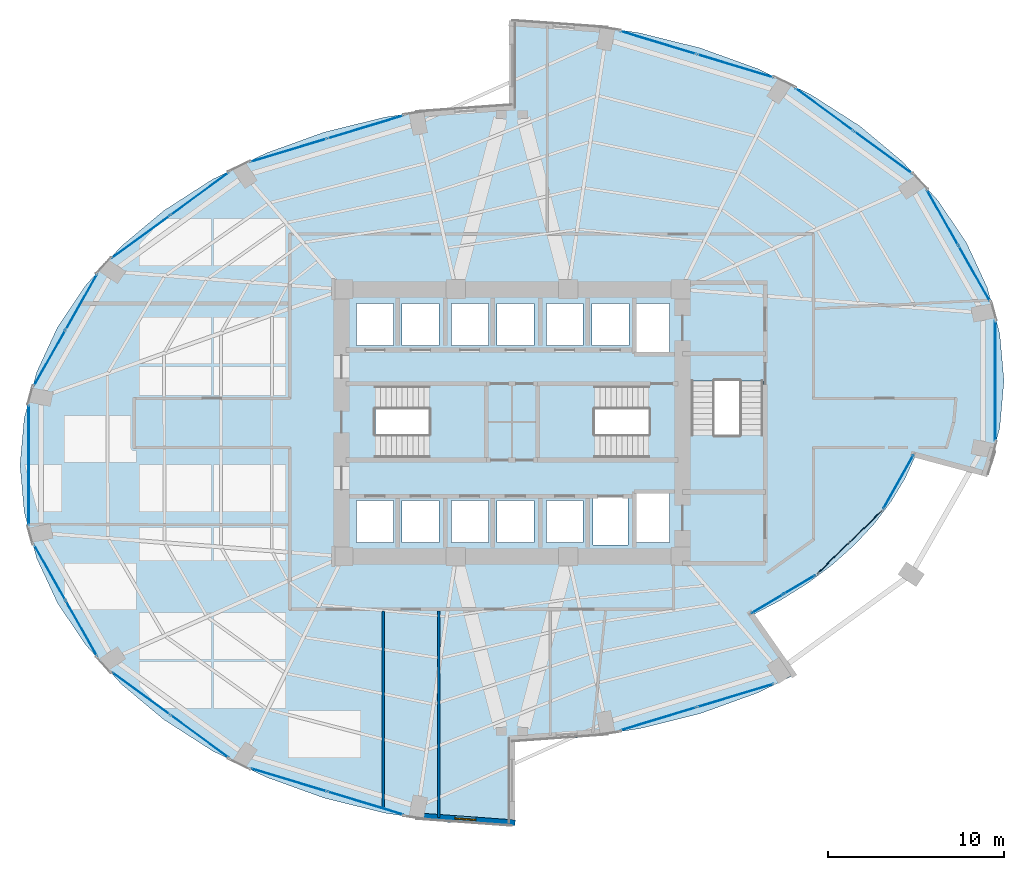
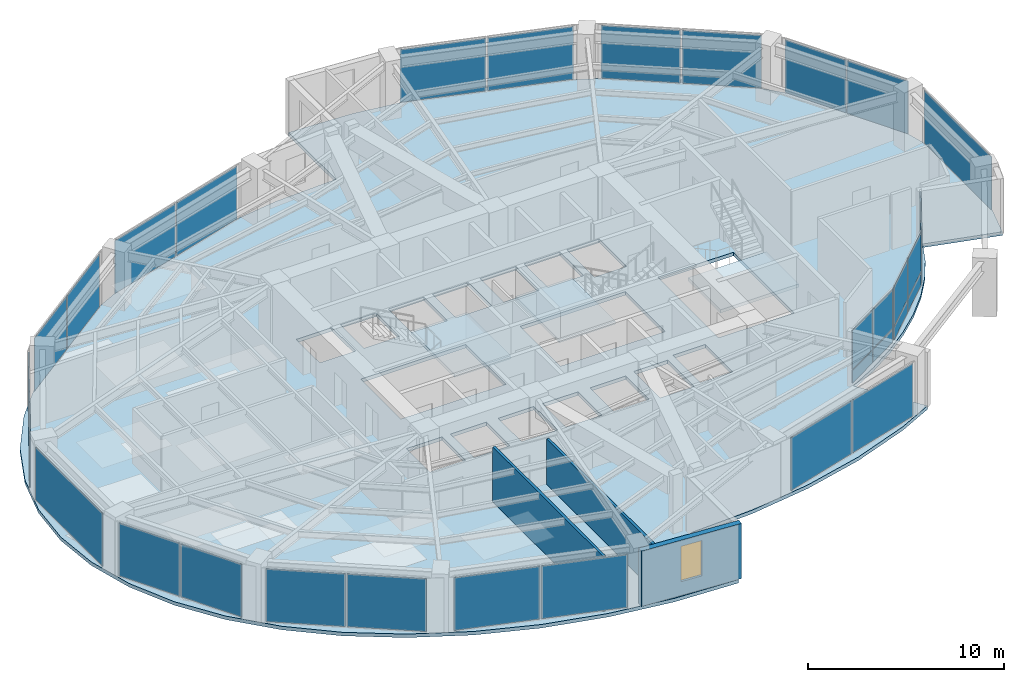
# One storey, part 19 of 24: 32 plates, 4 slabs, 3 walls, 1 window, 1 opening, 18 elements without a shape of their own.
"""IFC4 building model written with IfcOpenShell, lengths in metres."""

from ifc_helpers import new_model, si_unit, direction, frame, frame_2d, origin, origin_2d, place, context, subcontext, project, spatial, polyline, rectangle, outline, extrude, material, layer, layer_set, type_object, element, fill, aggregate, save


model = new_model("IFC4")

# Units and contexts
model_context = context("Model", 3, precision=1e-05, world=origin(), true_north=direction((0.0, 1.0)))
body_context = subcontext(model_context, "Body", "Model", "MODEL_VIEW")
ifc_project = project(units=[si_unit("LENGTHUNIT", "METRE"), si_unit("AREAUNIT", "SQUARE_METRE"), si_unit("VOLUMEUNIT", "CUBIC_METRE"), si_unit("PLANEANGLEUNIT", "RADIAN"), si_unit("MASSUNIT", "GRAM", prefix="KILO")], contexts=[model_context])

# Site, building, storey
site_placement = place(None, origin())
site = spatial("IfcSite", under=ifc_project, at=site_placement, CompositionType="ELEMENT")
building_placement = place(site_placement, origin())
building = spatial("IfcBuilding", under=site, at=building_placement, Name="Lazwardi Medical Tower", CompositionType="ELEMENT")
storey_placement = place(building_placement, frame((0.0, 0.0, 61.679931640625)))
storey = spatial("IfcBuildingStorey", under=building, at=storey_placement, Name="L15", CompositionType="ELEMENT", Elevation=61.679931640625)

# Curtain wall, plates
ifc_material_1 = material(Name="Anodised bronze aluminium and solar control glazing", Category="aluminium")
ifc_layer_1 = layer(ifc_material_1, 0.199951171875)
ifc_layer_set_1 = layer_set([ifc_layer_1], Name="Anodised bronze aluminium and solar control glazing")
curtain_wall_type_1 = type_object("IfcCurtainWallType", Name="CW-SYS-02", PredefinedType="NOTDEFINED", material=ifc_layer_set_1)
curtain_wall_1_placement = place(storey_placement, origin())
curtain_wall_1 = element("IfcCurtainWall", 1, at=curtain_wall_1_placement, inside=storey, type_object=curtain_wall_type_1, Name="L15 Unitised bronze curtain wall CW-02", PredefinedType="NOTDEFINED")
ifc_material_2 = material(Name="Low-e bronze solar control double glazing", Category="glass")
ifc_layer_2 = layer(ifc_material_2, 0.035888671875)
ifc_layer_set_2 = layer_set([ifc_layer_2], Name="Low-e bronze solar control double glazing")
plate_type_1 = type_object("IfcPlateType", Name="PLT-GLZ-01", PredefinedType="CURTAIN_PANEL", material=ifc_layer_set_2)
plate_1_placement = place(storey_placement, frame((44.335693359375, 11.158935546875, 0.0751953125), z_axis=(0.0, 0.0, 1.0), x_axis=(0.957058247129, 0.2898956909, 0.0)))
plate_1 = element("IfcPlate", 2, at=plate_1_placement, type_object=plate_type_1, Name="CW-02 panel 1.1", PredefinedType="CURTAIN_PANEL", context=body_context, shape_type="SweptSolid", body=[
    extrude(rectangle(XDim=4.49658203125, YDim=0.035888671875, at=origin_2d()), origin(), (0.0, 0.0, 1.0), 3.278076171875),
])
plate_2_placement = place(storey_placement, frame((48.7109375, 12.484130859375, 0.0751953125), z_axis=(0.0, 0.0, 1.0), x_axis=(0.957058247129, 0.2898956909, 0.0)))
plate_2 = element("IfcPlate", 3, at=plate_2_placement, type_object=plate_type_1, Name="CW-02 panel 2.1", PredefinedType="CURTAIN_PANEL", context=body_context, shape_type="SweptSolid", body=[
    extrude(rectangle(XDim=4.49658203125, YDim=0.035888671875, at=origin_2d()), origin(), (0.0, 0.0, 1.0), 3.278076171875),
])
aggregate(curtain_wall_1, [plate_1, plate_2])

# Curtain wall, plate
curtain_wall_2_placement = place(storey_placement, origin())
curtain_wall_2 = element("IfcCurtainWall", 4, at=curtain_wall_2_placement, inside=storey, type_object=curtain_wall_type_1, Name="L15 Unitised bronze curtain wall CW-02", PredefinedType="NOTDEFINED")
plate_3_placement = place(storey_placement, frame((63.49853515625, 30.39990234375, 0.0751953125), z_axis=(0.0, 0.0, 1.0), x_axis=(0.0, 1.0, 0.0)))
plate_3 = element("IfcPlate", 5, at=plate_3_placement, type_object=plate_type_1, Name="CW-02 panel 1.1", PredefinedType="CURTAIN_PANEL", context=body_context, shape_type="SweptSolid", body=[
    extrude(rectangle(XDim=6.8330078125, YDim=0.035888671875, at=origin_2d()), origin(), (0.0, 0.0, 1.0), 3.278076171875),
])
aggregate(curtain_wall_2, [plate_3])

# Curtain wall, plates
curtain_wall_3_placement = place(storey_placement, origin())
curtain_wall_3 = element("IfcCurtainWall", 6, at=curtain_wall_3_placement, inside=storey, type_object=curtain_wall_type_1, Name="L15 Unitised bronze curtain wall CW-02", PredefinedType="NOTDEFINED")
plate_4_placement = place(storey_placement, frame((62.3095703125, 36.498779296875, 0.0751953125), z_axis=(0.0, 0.0, 1.0), x_axis=(-0.492854327303, 0.870111838823, 0.0)))
plate_4 = element("IfcPlate", 7, at=plate_4_placement, type_object=plate_type_1, Name="CW-02 panel 1.1", PredefinedType="CURTAIN_PANEL", context=body_context, shape_type="SweptSolid", body=[
    extrude(rectangle(XDim=3.5947265625, YDim=0.035888671875, at=origin_2d()), origin(), (0.0, 0.0, 1.0), 3.278076171875),
])
plate_5_placement = place(storey_placement, frame((60.5009765625, 39.69189453125, 0.0751953125), z_axis=(0.0, 0.0, 1.0), x_axis=(-0.492854327303, 0.870111838823, 0.0)))
plate_5 = element("IfcPlate", 8, at=plate_5_placement, type_object=plate_type_1, Name="CW-02 panel 2.1", PredefinedType="CURTAIN_PANEL", context=body_context, shape_type="SweptSolid", body=[
    extrude(rectangle(XDim=3.5947265625, YDim=0.035888671875, at=origin_2d()), origin(), (0.0, 0.0, 1.0), 3.278076171875),
])
aggregate(curtain_wall_3, [plate_4, plate_5])

curtain_wall_4_placement = place(storey_placement, origin())
curtain_wall_4 = element("IfcCurtainWall", 9, at=curtain_wall_4_placement, inside=storey, type_object=curtain_wall_type_1, Name="L15 Unitised bronze curtain wall CW-02", PredefinedType="NOTDEFINED")
plate_6_placement = place(storey_placement, frame((57.117431640625, 43.39599609375, 0.0751953125), z_axis=(0.0, 0.0, 1.0), x_axis=(-0.807191757663, 0.590289307341, 0.0)))
plate_6 = element("IfcPlate", 10, at=plate_6_placement, type_object=plate_type_1, Name="CW-02 panel 1.1", PredefinedType="CURTAIN_PANEL", context=body_context, shape_type="SweptSolid", body=[
    extrude(rectangle(XDim=4.070068359375, YDim=0.035888671875, at=origin_2d()), origin(), (0.0, 0.0, 1.0), 3.278076171875),
])
plate_7_placement = place(storey_placement, frame((53.771484375, 45.8427734375, 0.0751953125), z_axis=(0.0, 0.0, 1.0), x_axis=(-0.807191757663, 0.590289307341, 0.0)))
plate_7 = element("IfcPlate", 11, at=plate_7_placement, type_object=plate_type_1, Name="CW-02 panel 2.1", PredefinedType="CURTAIN_PANEL", context=body_context, shape_type="SweptSolid", body=[
    extrude(rectangle(XDim=4.070068359375, YDim=0.035888671875, at=origin_2d()), origin(), (0.0, 0.0, 1.0), 3.278076171875),
])
aggregate(curtain_wall_4, [plate_6, plate_7])

curtain_wall_5_placement = place(storey_placement, origin())
curtain_wall_5 = element("IfcCurtainWall", 12, at=curtain_wall_5_placement, inside=storey, type_object=curtain_wall_type_1, Name="L15 Unitised bronze curtain wall CW-02", PredefinedType="NOTDEFINED")
plate_8_placement = place(storey_placement, frame((48.7109375, 48.31591796875, 0.0751953125), z_axis=(0.0, 0.0, 1.0), x_axis=(-0.957058247129, 0.2898956909, 0.0)))
plate_8 = element("IfcPlate", 13, at=plate_8_placement, type_object=plate_type_1, Name="CW-02 panel 1.1", PredefinedType="CURTAIN_PANEL", context=body_context, shape_type="SweptSolid", body=[
    extrude(rectangle(XDim=4.49658203125, YDim=0.035888671875, at=origin_2d()), origin(), (0.0, 0.0, 1.0), 3.278076171875),
])
plate_9_placement = place(storey_placement, frame((44.335693359375, 49.64111328125, 0.0751953125), z_axis=(0.0, 0.0, 1.0), x_axis=(-0.957058247129, 0.2898956909, 0.0)))
plate_9 = element("IfcPlate", 14, at=plate_9_placement, type_object=plate_type_1, Name="CW-02 panel 2.1", PredefinedType="CURTAIN_PANEL", context=body_context, shape_type="SweptSolid", body=[
    extrude(rectangle(XDim=4.49658203125, YDim=0.035888671875, at=origin_2d()), origin(), (0.0, 0.0, 1.0), 3.278076171875),
])
aggregate(curtain_wall_5, [plate_8, plate_9])

curtain_wall_6_placement = place(storey_placement, origin())
curtain_wall_6 = element("IfcCurtainWall", 15, at=curtain_wall_6_placement, inside=storey, type_object=curtain_wall_type_1, Name="L15 Unitised bronze curtain wall CW-02", PredefinedType="NOTDEFINED")
plate_10_placement = place(storey_placement, frame((27.664306640625, 44.841064453125, 0.0751953125), z_axis=(0.0, 0.0, 1.0), x_axis=(-0.957058247129, -0.2898956909, 0.0)))
plate_10 = element("IfcPlate", 16, at=plate_10_placement, type_object=plate_type_1, Name="CW-02 panel 1.1", PredefinedType="CURTAIN_PANEL", context=body_context, shape_type="SweptSolid", body=[
    extrude(rectangle(XDim=4.49658203125, YDim=0.035888671875, at=origin_2d()), origin(), (0.0, 0.0, 1.0), 3.278076171875),
])
plate_11_placement = place(storey_placement, frame((23.2890625, 43.515869140625, 0.0751953125), z_axis=(0.0, 0.0, 1.0), x_axis=(-0.957058247129, -0.2898956909, 0.0)))
plate_11 = element("IfcPlate", 17, at=plate_11_placement, type_object=plate_type_1, Name="CW-02 panel 2.1", PredefinedType="CURTAIN_PANEL", context=body_context, shape_type="SweptSolid", body=[
    extrude(rectangle(XDim=4.49658203125, YDim=0.035888671875, at=origin_2d()), origin(), (0.0, 0.0, 1.0), 3.278076171875),
])
aggregate(curtain_wall_6, [plate_10, plate_11])

curtain_wall_7_placement = place(storey_placement, origin())
curtain_wall_7 = element("IfcCurtainWall", 18, at=curtain_wall_7_placement, inside=storey, type_object=curtain_wall_type_1, Name="L15 Unitised bronze curtain wall CW-02", PredefinedType="NOTDEFINED")
plate_12_placement = place(storey_placement, frame((18.228515625, 41.042724609375, 0.0751953125), z_axis=(0.0, 0.0, 1.0), x_axis=(-0.807191757663, -0.590289307341, 0.0)))
plate_12 = element("IfcPlate", 19, at=plate_12_placement, type_object=plate_type_1, Name="CW-02 panel 1.1", PredefinedType="CURTAIN_PANEL", context=body_context, shape_type="SweptSolid", body=[
    extrude(rectangle(XDim=4.070068359375, YDim=0.035888671875, at=origin_2d()), origin(), (0.0, 0.0, 1.0), 3.278076171875),
])
plate_13_placement = place(storey_placement, frame((14.882568359375, 38.595947265625, 0.0751953125), z_axis=(0.0, 0.0, 1.0), x_axis=(-0.807191757663, -0.590289307341, 0.0)))
plate_13 = element("IfcPlate", 20, at=plate_13_placement, type_object=plate_type_1, Name="CW-02 panel 2.1", PredefinedType="CURTAIN_PANEL", context=body_context, shape_type="SweptSolid", body=[
    extrude(rectangle(XDim=4.070068359375, YDim=0.035888671875, at=origin_2d()), origin(), (0.0, 0.0, 1.0), 3.278076171875),
])
aggregate(curtain_wall_7, [plate_12, plate_13])

curtain_wall_8_placement = place(storey_placement, origin())
curtain_wall_8 = element("IfcCurtainWall", 21, at=curtain_wall_8_placement, inside=storey, type_object=curtain_wall_type_1, Name="L15 Unitised bronze curtain wall CW-02", PredefinedType="NOTDEFINED")
plate_14_placement = place(storey_placement, frame((11.4990234375, 34.89208984375, 0.0751953125), z_axis=(0.0, 0.0, 1.0), x_axis=(-0.492854327303, -0.870111838823, 0.0)))
plate_14 = element("IfcPlate", 22, at=plate_14_placement, type_object=plate_type_1, Name="CW-02 panel 1.1", PredefinedType="CURTAIN_PANEL", context=body_context, shape_type="SweptSolid", body=[
    extrude(rectangle(XDim=3.5947265625, YDim=0.035888671875, at=origin_2d()), origin(), (0.0, 0.0, 1.0), 3.278076171875),
])
plate_15_placement = place(storey_placement, frame((9.6904296875, 31.698974609375, 0.0751953125), z_axis=(0.0, 0.0, 1.0), x_axis=(-0.492854327303, -0.870111838823, 0.0)))
plate_15 = element("IfcPlate", 23, at=plate_15_placement, type_object=plate_type_1, Name="CW-02 panel 2.1", PredefinedType="CURTAIN_PANEL", context=body_context, shape_type="SweptSolid", body=[
    extrude(rectangle(XDim=3.5947265625, YDim=0.035888671875, at=origin_2d()), origin(), (0.0, 0.0, 1.0), 3.278076171875),
])
aggregate(curtain_wall_8, [plate_14, plate_15])

# Curtain wall, plate
curtain_wall_9_placement = place(storey_placement, origin())
curtain_wall_9 = element("IfcCurtainWall", 24, at=curtain_wall_9_placement, inside=storey, type_object=curtain_wall_type_1, Name="L15 Unitised bronze curtain wall CW-02", PredefinedType="NOTDEFINED")
plate_16_placement = place(storey_placement, frame((8.50146484375, 25.60009765625, 0.0751953125), z_axis=(0.0, 0.0, 1.0), x_axis=(0.0, -1.0, 0.0)))
plate_16 = element("IfcPlate", 25, at=plate_16_placement, type_object=plate_type_1, Name="CW-02 panel 1.1", PredefinedType="CURTAIN_PANEL", context=body_context, shape_type="SweptSolid", body=[
    extrude(rectangle(XDim=6.8330078125, YDim=0.035888671875, at=origin_2d()), origin(), (0.0, 0.0, 1.0), 3.278076171875),
])
aggregate(curtain_wall_9, [plate_16])

# Curtain wall, plates
curtain_wall_10_placement = place(storey_placement, origin())
curtain_wall_10 = element("IfcCurtainWall", 26, at=curtain_wall_10_placement, inside=storey, type_object=curtain_wall_type_1, Name="L15 Unitised bronze curtain wall CW-02", PredefinedType="NOTDEFINED")
plate_17_placement = place(storey_placement, frame((9.6904296875, 19.501220703125, 0.0751953125), z_axis=(0.0, 0.0, 1.0), x_axis=(0.492854327303, -0.870111838823, 0.0)))
plate_17 = element("IfcPlate", 27, at=plate_17_placement, type_object=plate_type_1, Name="CW-02 panel 1.1", PredefinedType="CURTAIN_PANEL", context=body_context, shape_type="SweptSolid", body=[
    extrude(rectangle(XDim=3.5947265625, YDim=0.035888671875, at=origin_2d()), origin(), (0.0, 0.0, 1.0), 3.278076171875),
])
plate_18_placement = place(storey_placement, frame((11.4990234375, 16.30810546875, 0.0751953125), z_axis=(0.0, 0.0, 1.0), x_axis=(0.492854327303, -0.870111838823, 0.0)))
plate_18 = element("IfcPlate", 28, at=plate_18_placement, type_object=plate_type_1, Name="CW-02 panel 2.1", PredefinedType="CURTAIN_PANEL", context=body_context, shape_type="SweptSolid", body=[
    extrude(rectangle(XDim=3.5947265625, YDim=0.035888671875, at=origin_2d()), origin(), (0.0, 0.0, 1.0), 3.278076171875),
])
aggregate(curtain_wall_10, [plate_17, plate_18])

curtain_wall_11_placement = place(storey_placement, origin())
curtain_wall_11 = element("IfcCurtainWall", 29, at=curtain_wall_11_placement, inside=storey, type_object=curtain_wall_type_1, Name="L15 Unitised bronze curtain wall CW-02", PredefinedType="NOTDEFINED")
plate_19_placement = place(storey_placement, frame((14.882568359375, 12.60400390625, 0.0751953125), z_axis=(0.0, 0.0, 1.0), x_axis=(0.807191757663, -0.590289307341, 0.0)))
plate_19 = element("IfcPlate", 30, at=plate_19_placement, type_object=plate_type_1, Name="CW-02 panel 1.1", PredefinedType="CURTAIN_PANEL", context=body_context, shape_type="SweptSolid", body=[
    extrude(rectangle(XDim=4.070068359375, YDim=0.035888671875, at=origin_2d()), origin(), (0.0, 0.0, 1.0), 3.278076171875),
])
plate_20_placement = place(storey_placement, frame((18.228515625, 10.1572265625, 0.0751953125), z_axis=(0.0, 0.0, 1.0), x_axis=(0.807191757663, -0.590289307341, 0.0)))
plate_20 = element("IfcPlate", 31, at=plate_20_placement, type_object=plate_type_1, Name="CW-02 panel 2.1", PredefinedType="CURTAIN_PANEL", context=body_context, shape_type="SweptSolid", body=[
    extrude(rectangle(XDim=4.070068359375, YDim=0.035888671875, at=origin_2d()), origin(), (0.0, 0.0, 1.0), 3.278076171875),
])
aggregate(curtain_wall_11, [plate_19, plate_20])

curtain_wall_12_placement = place(storey_placement, origin())
curtain_wall_12 = element("IfcCurtainWall", 32, at=curtain_wall_12_placement, inside=storey, type_object=curtain_wall_type_1, Name="L15 Unitised bronze curtain wall CW-02", PredefinedType="NOTDEFINED")
plate_21_placement = place(storey_placement, frame((23.2890625, 7.68408203125, 0.0751953125), z_axis=(0.0, 0.0, 1.0), x_axis=(0.957058247129, -0.2898956909, 0.0)))
plate_21 = element("IfcPlate", 33, at=plate_21_placement, type_object=plate_type_1, Name="CW-02 panel 1.1", PredefinedType="CURTAIN_PANEL", context=body_context, shape_type="SweptSolid", body=[
    extrude(rectangle(XDim=4.49658203125, YDim=0.035888671875, at=origin_2d()), origin(), (0.0, 0.0, 1.0), 3.278076171875),
])
plate_22_placement = place(storey_placement, frame((27.664306640625, 6.35888671875, 0.0751953125), z_axis=(0.0, 0.0, 1.0), x_axis=(0.957058247129, -0.2898956909, 0.0)))
plate_22 = element("IfcPlate", 34, at=plate_22_placement, type_object=plate_type_1, Name="CW-02 panel 2.1", PredefinedType="CURTAIN_PANEL", context=body_context, shape_type="SweptSolid", body=[
    extrude(rectangle(XDim=4.49658203125, YDim=0.035888671875, at=origin_2d()), origin(), (0.0, 0.0, 1.0), 3.278076171875),
])
aggregate(curtain_wall_12, [plate_21, plate_22])

ifc_layer_3 = layer(ifc_material_1, 0.239990234375)
ifc_layer_set_3 = layer_set([ifc_layer_3], Name="Anodised bronze aluminium and solar control glazing")
curtain_wall_type_2 = type_object("IfcCurtainWallType", Name="CW-SYS-05", PredefinedType="NOTDEFINED", material=ifc_layer_set_3)
curtain_wall_13_placement = place(storey_placement, origin())
curtain_wall_13 = element("IfcCurtainWall", 35, at=curtain_wall_13_placement, inside=storey, type_object=curtain_wall_type_2, Name="L15 Unitised bronze curtain wall CW-05", PredefinedType="NOTDEFINED")
ifc_material_3 = material(Name="Laminated acoustic bronze double glazing", Category="glass")
ifc_layer_4 = layer(ifc_material_3, 0.0419921875)
ifc_layer_set_4 = layer_set([ifc_layer_4], Name="Laminated acoustic bronze double glazing")
plate_type_2 = type_object("IfcPlateType", Name="PLT-GLZ-02", PredefinedType="CURTAIN_PANEL", material=ifc_layer_set_4)
plate_23_placement = place(storey_placement, frame((50.53466796875, 17.711669921875, 0.085205078125), z_axis=(0.0, 0.0, 1.0), x_axis=(0.859770759532, 0.510680174917, 0.0)))
plate_23 = element("IfcPlate", 36, at=plate_23_placement, type_object=plate_type_2, Name="CW-05 panel 1.1", PredefinedType="CURTAIN_PANEL", context=body_context, shape_type="SweptSolid", body=[
    extrude(rectangle(XDim=2.04541015625, YDim=0.0419921875, at=origin_2d()), origin(), (0.0, 0.0, 1.0), 0.7724609375),
])
plate_24_placement = place(storey_placement, frame((50.53466796875, 17.711669921875, 0.942626953125), z_axis=(0.0, 0.0, 1.0), x_axis=(0.859770759532, 0.510680174917, 0.0)))
plate_24 = element("IfcPlate", 37, at=plate_24_placement, type_object=plate_type_2, Name="CW-05 panel 1.2", PredefinedType="CURTAIN_PANEL", context=body_context, shape_type="SweptSolid", body=[
    extrude(rectangle(XDim=2.04541015625, YDim=0.0419921875, at=origin_2d()), origin(), (0.0, 0.0, 1.0), 2.400390625),
])
plate_25_placement = place(storey_placement, frame((52.3662109375, 18.799560546875, 0.085205078125), z_axis=(0.0, 0.0, 1.0), x_axis=(0.859770759532, 0.510680174917, 0.0)))
plate_25 = element("IfcPlate", 38, at=plate_25_placement, type_object=plate_type_2, Name="CW-05 panel 2.1", PredefinedType="CURTAIN_PANEL", context=body_context, shape_type="SweptSolid", body=[
    extrude(rectangle(XDim=2.04541015625, YDim=0.0419921875, at=origin_2d()), origin(), (0.0, 0.0, 1.0), 0.7724609375),
])
plate_26_placement = place(storey_placement, frame((52.3662109375, 18.799560546875, 0.942626953125), z_axis=(0.0, 0.0, 1.0), x_axis=(0.859770759532, 0.510680174917, 0.0)))
plate_26 = element("IfcPlate", 39, at=plate_26_placement, type_object=plate_type_2, Name="CW-05 panel 2.2", PredefinedType="CURTAIN_PANEL", context=body_context, shape_type="SweptSolid", body=[
    extrude(rectangle(XDim=2.04541015625, YDim=0.0419921875, at=origin_2d()), origin(), (0.0, 0.0, 1.0), 2.400390625),
])
aggregate(curtain_wall_13, [plate_23, plate_24, plate_25, plate_26])

curtain_wall_14_placement = place(storey_placement, origin())
curtain_wall_14 = element("IfcCurtainWall", 40, at=curtain_wall_14_placement, inside=storey, type_object=curtain_wall_type_2, Name="L15 Unitised bronze curtain wall CW-05", PredefinedType="NOTDEFINED")
plate_27_placement = place(storey_placement, frame((57.986083984375, 24.63330078125, 0.085205078125), z_axis=(0.0, 0.0, 1.0), x_axis=(0.489795845779, 0.871837157649, 0.0)))
plate_27 = element("IfcPlate", 41, at=plate_27_placement, type_object=plate_type_2, Name="CW-05 panel 1.1", PredefinedType="CURTAIN_PANEL", context=body_context, shape_type="SweptSolid", body=[
    extrude(rectangle(XDim=3.4521484375, YDim=0.0419921875, at=origin_2d()), origin(), (0.0, 0.0, 1.0), 0.7724609375),
])
plate_28_placement = place(storey_placement, frame((57.986083984375, 24.63330078125, 0.942626953125), z_axis=(0.0, 0.0, 1.0), x_axis=(0.489795845779, 0.871837157649, 0.0)))
plate_28 = element("IfcPlate", 42, at=plate_28_placement, type_object=plate_type_2, Name="CW-05 panel 1.2", PredefinedType="CURTAIN_PANEL", context=body_context, shape_type="SweptSolid", body=[
    extrude(rectangle(XDim=3.4521484375, YDim=0.0419921875, at=origin_2d()), origin(), (0.0, 0.0, 1.0), 2.400390625),
])
aggregate(curtain_wall_14, [plate_27, plate_28])

curtain_wall_15_placement = place(storey_placement, origin())
curtain_wall_15 = element("IfcCurtainWall", 43, at=curtain_wall_15_placement, inside=storey, type_object=curtain_wall_type_2, Name="L15 Unitised bronze curtain wall CW-05", PredefinedType="NOTDEFINED")
plate_29_placement = place(storey_placement, frame((54.27880859375, 20.302490234375, 0.085205078125), z_axis=(0.0, 0.0, 1.0), x_axis=(0.715705548753, 0.698402153121, 0.0)))
plate_29 = element("IfcPlate", 44, at=plate_29_placement, type_object=plate_type_2, Name="CW-05 panel 1.1", PredefinedType="CURTAIN_PANEL", context=body_context, shape_type="SweptSolid", body=[
    extrude(rectangle(XDim=2.513671875, YDim=0.0419921875, at=origin_2d()), origin(), (0.0, 0.0, 1.0), 0.7724609375),
])
plate_30_placement = place(storey_placement, frame((54.27880859375, 20.302490234375, 0.942626953125), z_axis=(0.0, 0.0, 1.0), x_axis=(0.715705548753, 0.698402153121, 0.0)))
plate_30 = element("IfcPlate", 45, at=plate_30_placement, type_object=plate_type_2, Name="CW-05 panel 1.2", PredefinedType="CURTAIN_PANEL", context=body_context, shape_type="SweptSolid", body=[
    extrude(rectangle(XDim=2.513671875, YDim=0.0419921875, at=origin_2d()), origin(), (0.0, 0.0, 1.0), 2.400390625),
])
plate_31_placement = place(storey_placement, frame((56.138671875, 22.1171875, 0.085205078125), z_axis=(0.0, 0.0, 1.0), x_axis=(0.715705548753, 0.698402153121, 0.0)))
plate_31 = element("IfcPlate", 46, at=plate_31_placement, type_object=plate_type_2, Name="CW-05 panel 2.1", PredefinedType="CURTAIN_PANEL", context=body_context, shape_type="SweptSolid", body=[
    extrude(rectangle(XDim=2.513671875, YDim=0.0419921875, at=origin_2d()), origin(), (0.0, 0.0, 1.0), 0.7724609375),
])
plate_32_placement = place(storey_placement, frame((56.138671875, 22.1171875, 0.942626953125), z_axis=(0.0, 0.0, 1.0), x_axis=(0.715705548753, 0.698402153121, 0.0)))
plate_32 = element("IfcPlate", 47, at=plate_32_placement, type_object=plate_type_2, Name="CW-05 panel 2.2", PredefinedType="CURTAIN_PANEL", context=body_context, shape_type="SweptSolid", body=[
    extrude(rectangle(XDim=2.513671875, YDim=0.0419921875, at=origin_2d()), origin(), (0.0, 0.0, 1.0), 2.400390625),
])
aggregate(curtain_wall_15, [plate_29, plate_30, plate_31, plate_32])

# Stair, slab
ifc_material_4 = material(Name="Concrete C45/55", Category="concrete")
stair_type = type_object("IfcStairType", Name="STR-WRD", PredefinedType="HALF_TURN_STAIR", material=ifc_material_4)
stair_1_placement = place(storey_placement, origin())
stair_1 = element("IfcStair", 48, at=stair_1_placement, inside=storey, type_object=stair_type, Name="L15 Protected Exit Stair ST1", PredefinedType="HALF_TURN_STAIR")
ifc_layer_5 = layer(ifc_material_4, 0.199951171875)
ifc_layer_set_5 = layer_set([ifc_layer_5], Name="Concrete C45/55")
slab_type_1 = type_object("IfcSlabType", Name="SLB-LND-190", PredefinedType="LANDING", material=ifc_layer_set_5)
slab_1_placement = place(storey_placement, frame((0.0, 0.0, 1.6240234375)))
slab_1 = element("IfcSlab", 49, at=slab_1_placement, type_object=slab_type_1, Name="ST1 landing 1", PredefinedType="LANDING", context=body_context, shape_type="SweptSolid", body=[
    extrude(outline(polyline([(31.27490234375, 25.840087890625), (34.580078125, 25.840087890625), (34.580078125, 30.280029296875), (31.27490234375, 30.280029296875), (31.27490234375, 25.840087890625)])), origin(), (0.0, 0.0, 1.0), 0.199951171875),
])
aggregate(stair_1, [slab_1])

stair_2_placement = place(storey_placement, origin())
stair_2 = element("IfcStair", 50, at=stair_2_placement, inside=storey, type_object=stair_type, Name="L15 Protected Exit Stair ST2", PredefinedType="HALF_TURN_STAIR")
slab_2_placement = place(storey_placement, frame((0.0, 0.0, 1.6240234375)))
slab_2 = element("IfcSlab", 51, at=slab_2_placement, type_object=slab_type_1, Name="ST2 landing 1", PredefinedType="LANDING", context=body_context, shape_type="SweptSolid", body=[
    extrude(outline(polyline([(40.72509765625, 30.280029296875), (37.419921875, 30.280029296875), (37.419921875, 25.840087890625), (40.72509765625, 25.840087890625), (40.72509765625, 30.280029296875)])), origin(), (0.0, 0.0, 1.0), 0.199951171875),
])
aggregate(stair_2, [slab_2])

stair_3_placement = place(storey_placement, origin())
stair_3 = element("IfcStair", 52, at=stair_3_placement, inside=storey, type_object=stair_type, Name="L15 Protected Exit Stair ST3", PredefinedType="HALF_TURN_STAIR")
slab_3_placement = place(storey_placement, frame((0.0, 0.0, 1.6240234375)))
slab_3 = element("IfcSlab", 53, at=slab_3_placement, type_object=slab_type_1, Name="ST3 landing 1", PredefinedType="LANDING", context=body_context, shape_type="SweptSolid", body=[
    extrude(outline(polyline([(45.860107421875, 27.324951171875), (45.860107421875, 24.02001953125), (50.4599609375, 24.02001953125), (50.4599609375, 27.324951171875), (45.860107421875, 27.324951171875)])), origin(), (0.0, 0.0, 1.0), 0.199951171875),
])
aggregate(stair_3, [slab_3])

# Slab
ifc_material_5 = material(Name="Concrete C50/60", Category="concrete")
ifc_layer_6 = layer(ifc_material_5, 0.219970703125)
ifc_layer_set_6 = layer_set([ifc_layer_6], Name="Concrete C50/60")
slab_type_2 = type_object("IfcSlabType", Name="SLB-WRD-220", PredefinedType="FLOOR", material=ifc_layer_set_6)
slab_4_placement = place(storey_placement, frame((0.0, 0.0, -0.219970703125)))
element("IfcSlab", 54, at=slab_4_placement, inside=storey, type_object=slab_type_2, Name="Structural floor slab SF-03 L15", PredefinedType="FLOOR", context=body_context, shape_type="SweptSolid", body=[
    extrude(outline(polyline([(8.239501953125, 22.92431640625), (8.9541015625, 20.294189453125), (10.13134765625, 17.7548828125), (11.751220703125, 15.35009765625), (13.7861328125, 13.120361328125), (16.200927734375, 11.104248046875), (18.95458984375, 9.336181640625), (22.0, 7.846435546875), (25.284912109375, 6.660400390625), (28.753173828125, 5.798583984375), (32.34521484375, 5.275390625), (36.0, 5.10009765625), (36.0, 9.89990234375), (39.65478515625, 10.075439453125), (43.246826171875, 10.598388671875), (46.715087890625, 11.46044921875), (50.0, 12.646484375), (52.031005859375, 13.64013671875), (49.64697265625, 17.044921875), (49.646728515625, 17.04541015625), (49.646484375, 17.0458984375), (49.646240234375, 17.04638671875), (49.646240234375, 17.046875), (49.64599609375, 17.047119140625), (49.64599609375, 17.047607421875), (49.64599609375, 17.048095703125), (49.646240234375, 17.048583984375), (49.646240234375, 17.04931640625), (49.646484375, 17.0498046875), (49.646728515625, 17.050048828125), (49.64697265625, 17.050537109375), (49.647216796875, 17.051025390625), (49.647705078125, 17.05126953125), (49.64794921875, 17.0517578125), (49.648193359375, 17.052001953125), (49.648681640625, 17.05224609375), (51.2958984375, 17.917724609375), (52.826416015625, 18.87841796875), (54.228759765625, 19.926513671875), (55.4921875, 21.05419921875), (56.607666015625, 22.253173828125), (57.56591796875, 23.51416015625), (58.3603515625, 24.827392578125), (58.984619140625, 26.183349609375), (58.984619140625, 26.18359375), (58.985107421875, 26.18408203125), (58.9853515625, 26.1845703125), (58.985595703125, 26.184814453125), (58.986083984375, 26.185302734375), (58.986328125, 26.185546875), (58.98681640625, 26.185791015625), (58.9873046875, 26.185791015625), (58.98779296875, 26.18603515625), (58.98828125, 26.186279296875), (58.98876953125, 26.186279296875), (58.9892578125, 26.186279296875), (58.98974609375, 26.18603515625), (58.990234375, 26.18603515625), (63.047119140625, 25.09912109375), (63.047119140625, 25.09912109375), (63.760498046875, 27.72412109375), (64.0, 30.39990234375), (63.760498046875, 33.07568359375), (63.0458984375, 35.705810546875), (61.86865234375, 38.2451171875), (60.248779296875, 40.64990234375), (58.2138671875, 42.879638671875), (55.799072265625, 44.895751953125), (53.04541015625, 46.663818359375), (50.0, 48.153564453125), (46.715087890625, 49.339599609375), (43.246826171875, 50.201416015625), (39.65478515625, 50.724609375), (36.0, 50.89990234375), (36.0, 46.10009765625), (32.34521484375, 45.924560546875), (28.753173828125, 45.401611328125), (25.284912109375, 44.53955078125), (22.0, 43.353515625), (18.95458984375, 41.86376953125), (16.200927734375, 40.095703125), (13.7861328125, 38.07958984375), (11.751220703125, 35.85009765625), (10.13134765625, 33.445068359375), (8.9541015625, 30.90576171875), (8.239501953125, 28.27587890625), (8.0, 25.60009765625), (8.239501953125, 22.92431640625)]), holes=[polyline([(28.22509765625, 26.02001953125), (28.22509765625, 30.10009765625), (34.39990234375, 30.10009765625), (34.39990234375, 26.02001953125), (28.22509765625, 26.02001953125)]), polyline([(37.60009765625, 30.10009765625), (43.77490234375, 30.10009765625), (43.77490234375, 26.02001953125), (37.60009765625, 26.02001953125), (37.60009765625, 30.10009765625)]), polyline([(50.280029296875, 30.375), (50.280029296875, 24.179931640625), (45.840087890625, 24.179931640625), (45.840087890625, 30.375), (50.280029296875, 30.375)]), polyline([(29.25, 32.39990234375), (27.14990234375, 32.39990234375), (27.14990234375, 34.800048828125), (29.25, 34.800048828125), (29.25, 32.39990234375)]), polyline([(29.75, 32.39990234375), (29.75, 34.800048828125), (31.85009765625, 34.800048828125), (31.85009765625, 32.39990234375), (29.75, 32.39990234375)]), polyline([(27.14990234375, 23.60009765625), (29.25, 23.60009765625), (29.25, 21.199951171875), (27.14990234375, 21.199951171875), (27.14990234375, 23.60009765625)]), polyline([(31.85009765625, 23.60009765625), (31.85009765625, 21.199951171875), (29.75, 21.199951171875), (29.75, 23.60009765625), (31.85009765625, 23.60009765625)]), polyline([(34.64990234375, 32.39990234375), (32.550048828125, 32.39990234375), (32.550048828125, 34.800048828125), (34.64990234375, 34.800048828125), (34.64990234375, 32.39990234375)]), polyline([(35.14990234375, 32.39990234375), (35.14990234375, 34.800048828125), (37.25, 34.800048828125), (37.25, 32.39990234375), (35.14990234375, 32.39990234375)]), polyline([(32.550048828125, 23.60009765625), (34.64990234375, 23.60009765625), (34.64990234375, 21.199951171875), (32.550048828125, 21.199951171875), (32.550048828125, 23.60009765625)]), polyline([(37.25, 23.60009765625), (37.25, 21.199951171875), (35.14990234375, 21.199951171875), (35.14990234375, 23.60009765625), (37.25, 23.60009765625)]), polyline([(40.050048828125, 32.39990234375), (37.949951171875, 32.39990234375), (37.949951171875, 34.800048828125), (40.050048828125, 34.800048828125), (40.050048828125, 32.39990234375)]), polyline([(40.550048828125, 32.39990234375), (40.550048828125, 34.800048828125), (42.64990234375, 34.800048828125), (42.64990234375, 32.39990234375), (40.550048828125, 32.39990234375)]), polyline([(37.949951171875, 23.60009765625), (40.050048828125, 23.60009765625), (40.050048828125, 21.199951171875), (37.949951171875, 21.199951171875), (37.949951171875, 23.60009765625)]), polyline([(44.949951171875, 34.800048828125), (44.949951171875, 32.0), (43.050048828125, 32.0), (43.050048828125, 34.800048828125), (44.949951171875, 34.800048828125)]), polyline([(44.949951171875, 21.199951171875), (43.050048828125, 21.199951171875), (43.050048828125, 24.0), (44.949951171875, 24.0), (44.949951171875, 21.199951171875)]), polyline([(40.60009765625, 21.050048828125), (40.60009765625, 23.75), (42.60009765625, 23.75), (42.60009765625, 21.050048828125), (40.60009765625, 21.050048828125)])]), origin(), (0.0, 0.0, 1.0), 0.219970703125),
])

# Wall, opening, window
ifc_material_6 = material(Name="Precast concrete C45/55", Category="concrete")
ifc_layer_7 = layer(ifc_material_6, 0.320068359375)
ifc_layer_set_7 = layer_set([ifc_layer_7], Name="Precast concrete C45/55")
wall_type_1 = type_object("IfcWallType", Name="WL-IWAN-320", PredefinedType="SOLIDWALL", material=ifc_layer_set_7)
wall_1_placement = place(storey_placement, frame((30.518798828125, 5.654296875, 0.0), z_axis=(0.0, 0.0, 1.0), x_axis=(0.997421878774, -0.071760683825, 0.0)))
wall_1 = element("IfcWall", 55, at=wall_1_placement, inside=storey, type_object=wall_type_1, Name="L15 Iwan Portal Return Wall SW_ret", PredefinedType="SOLIDWALL", context=body_context, shape_type="SweptSolid", body=[
    extrude(rectangle(XDim=5.6748046875, YDim=0.320068359375, at=frame_2d((2.83740234375, 0.0))), origin(), (0.0, 0.0, 1.0), 3.427978515625),
])
opening_placement = place(wall_1_placement, frame((2.2373046875, 0.0, 0.85009765625)))
opening = element("IfcOpeningElement", 56, at=opening_placement, cuts=wall_1, Name="Opening WN-01", PredefinedType="OPENING", context=body_context, shape_type="SweptSolid", body=[
    extrude(rectangle(XDim=1.199951171875, YDim=2.199951171875, at=frame_2d((0.60009765625, 1.10009765625))), frame((0.0, 0.169921875, 0.0), z_axis=(0.0, -1.0, 0.0), x_axis=(1.0, 0.0, 0.0)), (0.0, 0.0, 1.0), 0.340087890625),
])
window_type = type_object("IfcWindowType", Name="WIN-IW-1200", PartitioningType="SINGLE_PANEL", PredefinedType="WINDOW", material=ifc_material_2)
window_placement = place(opening_placement, origin())
window = element("IfcWindow", 57, at=window_placement, inside=storey, type_object=window_type, Name="L15 Iwan Slot Window SW_ret", OverallHeight=2.199951171875, OverallWidth=1.199951171875, PartitioningType="SINGLE_PANEL", PredefinedType="WINDOW", context=body_context, shape_type="SweptSolid", body=[
    extrude(rectangle(XDim=1.199951171875, YDim=2.199951171875, at=frame_2d((0.60009765625, 1.10009765625))), frame((0.0, 0.030029296875, 0.0), z_axis=(0.0, -1.0, 0.0), x_axis=(1.0, 0.0, 0.0)), (0.0, 0.0, 1.0), 0.06005859375),
])
fill(opening, window)

# Walls
ifc_material_7 = material(Name="Acoustic gypsum board partition")
ifc_layer_8 = layer(ifc_material_7, 0.14990234375)
ifc_layer_set_8 = layer_set([ifc_layer_8], Name="Acoustic gypsum board partition")
wall_type_2 = type_object("IfcWallType", Name="WL-WRD-150", PredefinedType="PARTITIONING", material=ifc_layer_set_8)
wall_2_placement = place(storey_placement, frame((28.669921875, 6.066650390625, 0.0), z_axis=(0.0, 0.0, 1.0), x_axis=(0.0, 1.0, 0.0)))
element("IfcWall", 58, at=wall_2_placement, inside=storey, type_object=wall_type_2, Name="L15 Room partition 5", PredefinedType="PARTITIONING", context=body_context, shape_type="SweptSolid", body=[
    extrude(rectangle(XDim=11.243408203125, YDim=0.14990234375, at=frame_2d((5.62158203125, 0.0))), origin(), (0.0, 0.0, 1.0), 3.427978515625),
])
wall_3_placement = place(storey_placement, frame((31.830078125, 5.548095703125, 0.0), z_axis=(0.0, 0.0, 1.0), x_axis=(0.0, 1.0, 0.0)))
element("IfcWall", 59, at=wall_3_placement, inside=storey, type_object=wall_type_2, Name="L15 Room partition 6", PredefinedType="PARTITIONING", context=body_context, shape_type="SweptSolid", body=[
    extrude(rectangle(XDim=11.761962890625, YDim=0.14990234375, at=frame_2d((5.880859375, 0.0))), origin(), (0.0, 0.0, 1.0), 2.81298828125),
])

save(model, "model.ifc")
